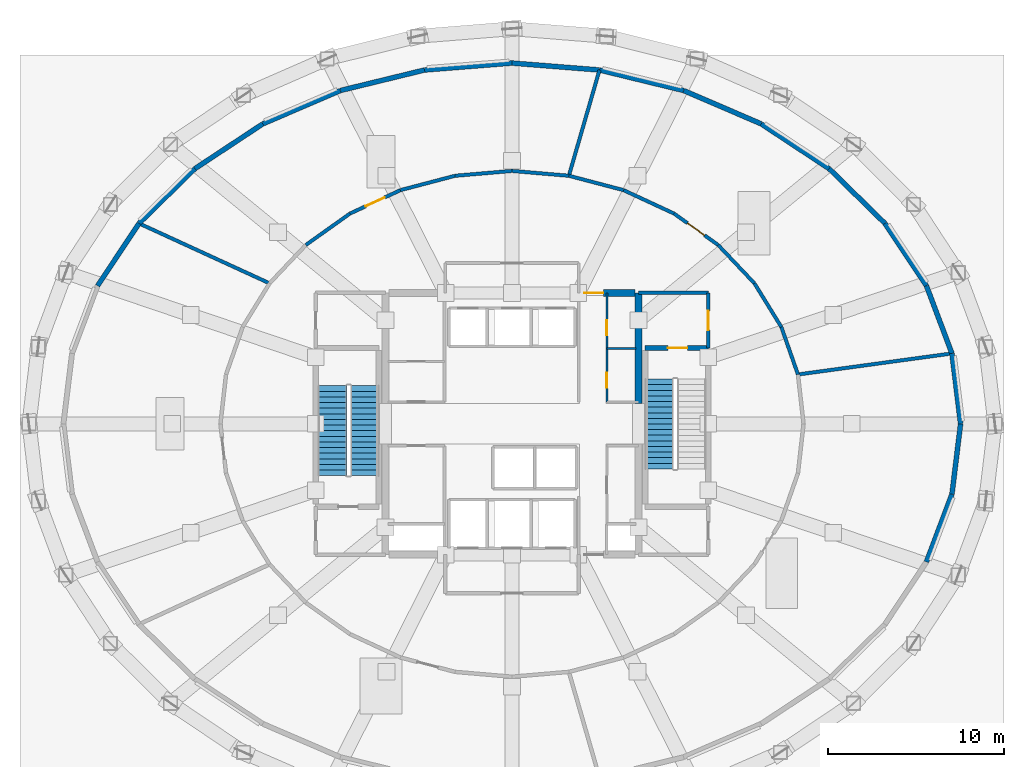
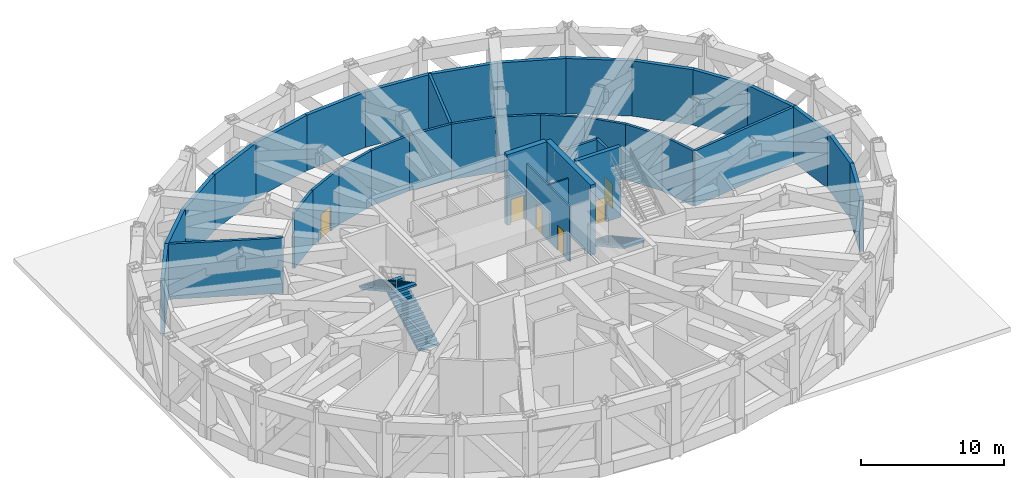
# One storey, part 7 of 12: 37 walls, 7 doors, 3 stair flights, 7 openings, 2 elements without a shape of their own.
"""IFC4 building model written with IfcOpenShell, lengths in metres."""

from ifc_helpers import new_model, si_unit, direction, frame, frame_2d, origin, place, context, subcontext, project, spatial, polyline, rectangle, outline, extrude, material, layer, layer_set, type_object, element, fill, aggregate, save


model = new_model("IFC4")

# Units and contexts
model_context = context("Model", 3, precision=1e-05, world=origin(), true_north=direction((0.0, 1.0)))
body_context = subcontext(model_context, "Body", "Model", "MODEL_VIEW")
ifc_project = project(units=[si_unit("LENGTHUNIT", "METRE"), si_unit("AREAUNIT", "SQUARE_METRE"), si_unit("VOLUMEUNIT", "CUBIC_METRE"), si_unit("PLANEANGLEUNIT", "RADIAN"), si_unit("MASSUNIT", "GRAM", prefix="KILO")], contexts=[model_context])

# Site, building, storey
site_placement = place(None, origin())
site = spatial("IfcSite", under=ifc_project, at=site_placement, CompositionType="ELEMENT")
building_placement = place(site_placement, origin())
building = spatial("IfcBuilding", under=site, at=building_placement, Name="Veldorina Hangang Commons", CompositionType="ELEMENT")
storey_placement = place(building_placement, frame((0.0, 0.0, 24.39990234375)))
storey = spatial("IfcBuildingStorey", under=building, at=storey_placement, Name="L05", CompositionType="ELEMENT", Elevation=24.39990234375)

# Wall
ifc_material_1 = material(Name="Concrete C70/85", Category="concrete")
ifc_layer_1 = layer(ifc_material_1, 0.39990234375)
ifc_layer_set_1 = layer_set([ifc_layer_1], Name="Concrete C70/85")
wall_type_1 = type_object("IfcWallType", Name="CW-RC400-C70", PredefinedType="SHEAR", material=ifc_layer_set_1)
wall_1_placement = place(storey_placement, frame((39.199951171875, 25.14990234375, 0.0), z_axis=(0.0, 0.0, 1.0), x_axis=(0.0, 1.0, 0.0)))
element("IfcWall", 1, at=wall_1_placement, inside=storey, type_object=wall_type_1, Name="L05 E north core shear wall", PredefinedType="SHEAR", context=body_context, shape_type="SweptSolid", body=[
    extrude(rectangle(XDim=6.300048828125, YDim=0.39990234375, at=frame_2d((3.14990234375, 0.0))), origin(), (0.0, 0.0, 1.0), 6.0),
])

# Wall, opening, door
wall_2_placement = place(storey_placement, frame((35.800048828125, 31.449951171875, 0.0), z_axis=(0.0, 0.0, 1.0), x_axis=(1.0, 0.0, 0.0)))
wall_2 = element("IfcWall", 2, at=wall_2_placement, inside=storey, type_object=wall_type_1, Name="L05 north-east core shear wall", PredefinedType="SHEAR", context=body_context, shape_type="SweptSolid", body=[
    extrude(rectangle(XDim=3.199951171875, YDim=0.39990234375, at=frame_2d((1.60009765625, 0.0))), origin(), (0.0, 0.0, 1.0), 6.0),
])
opening_1_placement = place(wall_2_placement, frame((0.300048828125, 0.0, 0.0)))
opening_1 = element("IfcOpeningElement", 3, at=opening_1_placement, cuts=wall_2, Name="Opening D-08", PredefinedType="OPENING", context=body_context, shape_type="SweptSolid", body=[
    extrude(rectangle(XDim=1.10009765625, YDim=2.10009765625, at=frame_2d((0.550048828125, 1.050048828125))), frame((0.0, 0.2099609375, 0.0), z_axis=(0.0, -1.0, 0.0), x_axis=(1.0, 0.0, 0.0)), (0.0, 0.0, 1.0), 0.419921875),
])
ifc_material_2 = material(Name="Steel Fire-Rated Smoke Seal", Category="steel")
door_type_1 = type_object("IfcDoorType", Name="DR-FIRE-1100", OperationType="SINGLE_SWING_RIGHT", PredefinedType="DOOR", material=ifc_material_2)
door_1_placement = place(opening_1_placement, origin())
door_1 = element("IfcDoor", 4, at=door_1_placement, inside=storey, type_object=door_type_1, Name="L05 central lift lobby north corridor door", OperationType="SINGLE_SWING_LEFT", OverallHeight=2.10009765625, OverallWidth=1.10009765625, PredefinedType="DOOR", context=body_context, shape_type="SweptSolid", body=[
    extrude(rectangle(XDim=1.10009765625, YDim=2.10009765625, at=frame_2d((0.550048828125, 1.050048828125))), frame((0.0, 0.02490234375, 0.0), z_axis=(0.0, -1.0, 0.0), x_axis=(1.0, 0.0, 0.0)), (0.0, 0.0, 1.0), 0.050048828125),
])
fill(opening_1, door_1)

# Walls
ifc_material_3 = material(Name="Stone Roman Travertine", Category="masonry")
ifc_layer_2 = layer(ifc_material_3, 0.280029296875)
ifc_layer_set_2 = layer_set([ifc_layer_2], Name="Stone Roman Travertine")
wall_type_2 = type_object("IfcWallType", Name="EW-TRAV-280", PredefinedType="STANDARD", material=ifc_layer_set_2)
wall_3_placement = place(storey_placement, frame((57.5400390625, 24.0, 0.0), z_axis=(0.0, 0.0, 1.0), x_axis=(-0.121555781987, 0.992584601868, 0.0)))
element("IfcWall", 5, at=wall_3_placement, inside=storey, type_object=wall_type_2, Name="L05 transfer plant exterior stone wall 00", PredefinedType="STANDARD", context=body_context, shape_type="SweptSolid", body=[
    extrude(rectangle(XDim=4.037109375, YDim=0.280029296875, at=frame_2d((2.0185546875, 0.0))), origin(), (0.0, 0.0, 1.0), 4.710205078125),
])
wall_4_placement = place(storey_placement, frame((57.04931640625, 28.007080078125, 0.0), z_axis=(0.0, 0.0, 1.0), x_axis=(-0.352909401731, 0.935657498324, 0.0)))
element("IfcWall", 6, at=wall_4_placement, inside=storey, type_object=wall_type_2, Name="L05 transfer plant exterior stone wall 01", PredefinedType="STANDARD", context=body_context, shape_type="SweptSolid", body=[
    extrude(rectangle(XDim=4.1181640625, YDim=0.280029296875, at=frame_2d((2.05908203125, 0.0))), origin(), (0.0, 0.0, 1.0), 4.710205078125),
])
wall_5_placement = place(storey_placement, frame((55.595947265625, 31.8603515625, 0.0), z_axis=(0.0, 0.0, 1.0), x_axis=(-0.55356334222, 0.832807076189, 0.0)))
element("IfcWall", 7, at=wall_5_placement, inside=storey, type_object=wall_type_2, Name="L05 transfer plant exterior stone wall 02", PredefinedType="STANDARD", context=body_context, shape_type="SweptSolid", body=[
    extrude(rectangle(XDim=4.263916015625, YDim=0.280029296875, at=frame_2d((2.1318359375, 0.0))), origin(), (0.0, 0.0, 1.0), 4.710205078125),
])
wall_6_placement = place(storey_placement, frame((53.235595703125, 35.411376953125, 0.0), z_axis=(0.0, 0.0, 1.0), x_axis=(-0.714207899037, 0.699933623248, 0.0)))
element("IfcWall", 8, at=wall_6_placement, inside=storey, type_object=wall_type_2, Name="L05 transfer plant exterior stone wall 03", PredefinedType="STANDARD", context=body_context, shape_type="SweptSolid", body=[
    extrude(rectangle(XDim=4.447021484375, YDim=0.280029296875, at=frame_2d((2.2236328125, 0.0))), origin(), (0.0, 0.0, 1.0), 4.710205078125),
])
wall_7_placement = place(storey_placement, frame((50.0595703125, 38.52392578125, 0.0), z_axis=(0.0, 0.0, 1.0), x_axis=(-0.834608922487, 0.550842941776, 0.0)))
element("IfcWall", 9, at=wall_7_placement, inside=storey, type_object=wall_type_2, Name="L05 transfer plant exterior stone wall 04", PredefinedType="STANDARD", context=body_context, shape_type="SweptSolid", body=[
    extrude(rectangle(XDim=4.637451171875, YDim=0.280029296875, at=frame_2d((2.31884765625, 0.0))), origin(), (0.0, 0.0, 1.0), 4.710205078125),
])
wall_8_placement = place(storey_placement, frame((46.189208984375, 41.078369140625, 0.0), z_axis=(0.0, 0.0, 1.0), x_axis=(-0.918705683067, 0.394942866629, 0.0)))
element("IfcWall", 10, at=wall_8_placement, inside=storey, type_object=wall_type_2, Name="L05 transfer plant exterior stone wall 05", PredefinedType="STANDARD", context=body_context, shape_type="SweptSolid", body=[
    extrude(rectangle(XDim=4.80615234375, YDim=0.280029296875, at=frame_2d((2.403076171875, 0.0))), origin(), (0.0, 0.0, 1.0), 4.710205078125),
])
wall_9_placement = place(storey_placement, frame((41.773681640625, 42.9765625, 0.0), z_axis=(0.0, 0.0, 1.0), x_axis=(-0.97151283312, 0.236986951292, 0.0)))
element("IfcWall", 11, at=wall_9_placement, inside=storey, type_object=wall_type_2, Name="L05 transfer plant exterior stone wall 06", PredefinedType="STANDARD", context=body_context, shape_type="SweptSolid", body=[
    extrude(rectangle(XDim=4.931396484375, YDim=0.280029296875, at=frame_2d((2.4658203125, 0.0))), origin(), (0.0, 0.0, 1.0), 4.710205078125),
])
for number, where, z_axis, x_axis, name in (
    (12, (36.982666015625, 44.145263671875, 0.0), (0.0, 0.0, 1.0), (-0.996876023292, 0.078982239682, 0.0), "L05 transfer plant exterior stone wall 07"),
    (13, (32.0, 44.5400390625, 0.0), (0.0, 0.0, 1.0), (-0.996876023292, -0.078982239682, 0.0), "L05 transfer plant exterior stone wall 08"),
):
    element("IfcWall", number, at=place(storey_placement, frame(where, z_axis=z_axis, x_axis=x_axis)), inside=storey, type_object=wall_type_2, Name=name, PredefinedType="STANDARD", context=body_context, shape_type="SweptSolid", body=[
        extrude(rectangle(XDim=4.998291015625, YDim=0.280029296875, at=frame_2d((2.4990234375, 0.0))), origin(), (0.0, 0.0, 1.0), 4.710205078125),
    ])
wall_10_placement = place(storey_placement, frame((27.017333984375, 44.145263671875, 0.0), z_axis=(0.0, 0.0, 1.0), x_axis=(-0.97151283312, -0.236986951292, 0.0)))
element("IfcWall", 14, at=wall_10_placement, inside=storey, type_object=wall_type_2, Name="L05 transfer plant exterior stone wall 09", PredefinedType="STANDARD", context=body_context, shape_type="SweptSolid", body=[
    extrude(rectangle(XDim=4.931396484375, YDim=0.280029296875, at=frame_2d((2.4658203125, 0.0))), origin(), (0.0, 0.0, 1.0), 4.710205078125),
])
wall_11_placement = place(storey_placement, frame((22.226318359375, 42.9765625, 0.0), z_axis=(0.0, 0.0, 1.0), x_axis=(-0.918705683067, -0.394942866629, 0.0)))
element("IfcWall", 15, at=wall_11_placement, inside=storey, type_object=wall_type_2, Name="L05 transfer plant exterior stone wall 10", PredefinedType="STANDARD", context=body_context, shape_type="SweptSolid", body=[
    extrude(rectangle(XDim=4.80615234375, YDim=0.280029296875, at=frame_2d((2.403076171875, 0.0))), origin(), (0.0, 0.0, 1.0), 4.710205078125),
])
wall_12_placement = place(storey_placement, frame((17.810791015625, 41.078369140625, 0.0), z_axis=(0.0, 0.0, 1.0), x_axis=(-0.834608922487, -0.550842941776, 0.0)))
element("IfcWall", 16, at=wall_12_placement, inside=storey, type_object=wall_type_2, Name="L05 transfer plant exterior stone wall 11", PredefinedType="STANDARD", context=body_context, shape_type="SweptSolid", body=[
    extrude(rectangle(XDim=4.637451171875, YDim=0.280029296875, at=frame_2d((2.31884765625, 0.0))), origin(), (0.0, 0.0, 1.0), 4.710205078125),
])
wall_13_placement = place(storey_placement, frame((13.9404296875, 38.52392578125, 0.0), z_axis=(0.0, 0.0, 1.0), x_axis=(-0.714207899037, -0.699933623248, 0.0)))
element("IfcWall", 17, at=wall_13_placement, inside=storey, type_object=wall_type_2, Name="L05 transfer plant exterior stone wall 12", PredefinedType="STANDARD", context=body_context, shape_type="SweptSolid", body=[
    extrude(rectangle(XDim=4.447021484375, YDim=0.280029296875, at=frame_2d((2.2236328125, 0.0))), origin(), (0.0, 0.0, 1.0), 4.710205078125),
])
wall_14_placement = place(storey_placement, frame((10.764404296875, 35.411376953125, 0.0), z_axis=(0.0, 0.0, 1.0), x_axis=(-0.55356334222, -0.832807076189, 0.0)))
element("IfcWall", 18, at=wall_14_placement, inside=storey, type_object=wall_type_2, Name="L05 transfer plant exterior stone wall 13", PredefinedType="STANDARD", context=body_context, shape_type="SweptSolid", body=[
    extrude(rectangle(XDim=4.263916015625, YDim=0.280029296875, at=frame_2d((2.1318359375, 0.0))), origin(), (0.0, 0.0, 1.0), 4.710205078125),
])
wall_15_placement = place(storey_placement, frame((55.595947265625, 16.1396484375, 0.0), z_axis=(0.0, 0.0, 1.0), x_axis=(0.352909401731, 0.935657498324, 0.0)))
element("IfcWall", 19, at=wall_15_placement, inside=storey, type_object=wall_type_2, Name="L05 transfer plant exterior stone wall 30", PredefinedType="STANDARD", context=body_context, shape_type="SweptSolid", body=[
    extrude(rectangle(XDim=4.1181640625, YDim=0.280029296875, at=frame_2d((2.05908203125, 0.0))), origin(), (0.0, 0.0, 1.0), 4.710205078125),
])
wall_16_placement = place(storey_placement, frame((57.04931640625, 19.992919921875, 0.0), z_axis=(0.0, 0.0, 1.0), x_axis=(0.121555781987, 0.992584601868, 0.0)))
element("IfcWall", 20, at=wall_16_placement, inside=storey, type_object=wall_type_2, Name="L05 transfer plant exterior stone wall 31", PredefinedType="STANDARD", context=body_context, shape_type="SweptSolid", body=[
    extrude(rectangle(XDim=4.037109375, YDim=0.280029296875, at=frame_2d((2.0185546875, 0.0))), origin(), (0.0, 0.0, 1.0), 4.710205078125),
])

# Wall, opening, door
ifc_material_4 = material(Name="Concrete C50/60", Category="concrete")
ifc_layer_3 = layer(ifc_material_4, 0.300048828125)
ifc_layer_set_3 = layer_set([ifc_layer_3], Name="Concrete C50/60")
wall_type_3 = type_object("IfcWallType", Name="SW-STAIR-300", PredefinedType="SHEAR", material=ifc_layer_set_3)
wall_17_placement = place(storey_placement, frame((39.580078125, 28.320068359375, 0.0), z_axis=(0.0, 0.0, 1.0), x_axis=(1.0, 0.0, 0.0)))
wall_17 = element("IfcWall", 21, at=wall_17_placement, inside=storey, type_object=wall_type_3, Name="L05 ST2 north stair shear wall", PredefinedType="SHEAR", context=body_context, shape_type="SweptSolid", body=[
    extrude(rectangle(XDim=3.599853515625, YDim=0.300048828125, at=frame_2d((1.7998046875, 0.0))), origin(), (0.0, 0.0, 1.0), 6.0),
])
opening_2_placement = place(wall_17_placement, frame((1.300048828125, 0.0, 0.0)))
opening_2 = element("IfcOpeningElement", 22, at=opening_2_placement, cuts=wall_17, Name="Opening D-08", PredefinedType="OPENING", context=body_context, shape_type="SweptSolid", body=[
    extrude(rectangle(XDim=1.10009765625, YDim=2.10009765625, at=frame_2d((0.550048828125, 1.050048828125))), frame((0.0, 0.16015625, 0.0), z_axis=(0.0, -1.0, 0.0), x_axis=(1.0, 0.0, 0.0)), (0.0, 0.0, 1.0), 0.320068359375),
])
door_2_placement = place(opening_2_placement, origin())
door_2 = element("IfcDoor", 23, at=door_2_placement, inside=storey, type_object=door_type_1, Name="L05 Special Escape Stair ST-2 door", OperationType="SINGLE_SWING_RIGHT", OverallHeight=2.10009765625, OverallWidth=1.10009765625, PredefinedType="DOOR", context=body_context, shape_type="SweptSolid", body=[
    extrude(rectangle(XDim=1.10009765625, YDim=2.10009765625, at=frame_2d((0.550048828125, 1.050048828125))), frame((0.0, 0.02490234375, 0.0), z_axis=(0.0, -1.0, 0.0), x_axis=(1.0, 0.0, 0.0)), (0.0, 0.0, 1.0), 0.050048828125),
])
fill(opening_2, door_2)

ifc_material_5 = material(Name="Concrete Blockwork Fire Wall C30/37", Category="masonry")
ifc_layer_4 = layer(ifc_material_5, 0.199951171875)
ifc_layer_set_4 = layer_set([ifc_layer_4], Name="Concrete Blockwork Fire Wall C30/37")
wall_type_4 = type_object("IfcWallType", Name="WL-FIRE-200", PredefinedType="SOLIDWALL", material=ifc_layer_set_4)
wall_18_placement = place(storey_placement, frame((43.179931640625, 28.320068359375, 0.0), z_axis=(0.0, 0.0, 1.0), x_axis=(0.0, 1.0, 0.0)))
wall_18 = element("IfcWall", 24, at=wall_18_placement, inside=storey, type_object=wall_type_4, Name="L05 East vestibule outer wall 003", PredefinedType="SOLIDWALL", context=body_context, shape_type="SweptSolid", body=[
    extrude(rectangle(XDim=3.1298828125, YDim=0.199951171875, at=frame_2d((1.56494140625, 0.0))), origin(), (0.0, 0.0, 1.0), 4.710205078125),
])
opening_3_placement = place(wall_18_placement, frame((1.014892578125, 0.0, 0.0)))
opening_3 = element("IfcOpeningElement", 25, at=opening_3_placement, cuts=wall_18, Name="Opening D-08", PredefinedType="OPENING", context=body_context, shape_type="SweptSolid", body=[
    extrude(rectangle(XDim=1.10009765625, YDim=2.10009765625, at=frame_2d((0.550048828125, 1.050048828125))), frame((0.0, 0.10986328125, 0.0), z_axis=(0.0, -1.0, 0.0), x_axis=(1.0, 0.0, 0.0)), (0.0, 0.0, 1.0), 0.219970703125),
])
door_3_placement = place(opening_3_placement, origin())
door_3 = element("IfcDoor", 26, at=door_3_placement, inside=storey, type_object=door_type_1, Name="L05 East vestibule east door 002", OperationType="SINGLE_SWING_RIGHT", OverallHeight=2.10009765625, OverallWidth=1.10009765625, PredefinedType="DOOR", context=body_context, shape_type="SweptSolid", body=[
    extrude(rectangle(XDim=1.10009765625, YDim=2.10009765625, at=frame_2d((0.550048828125, 1.050048828125))), frame((0.0, 0.02490234375, 0.0), z_axis=(0.0, -1.0, 0.0), x_axis=(1.0, 0.0, 0.0)), (0.0, 0.0, 1.0), 0.050048828125),
])
fill(opening_3, door_3)

# Walls
wall_19_placement = place(storey_placement, frame((39.199951171875, 31.449951171875, 0.0), z_axis=(0.0, 0.0, 1.0), x_axis=(1.0, 0.0, 0.0)))
element("IfcWall", 27, at=wall_19_placement, inside=storey, type_object=wall_type_4, Name="L05 East vestibule north wall 004", PredefinedType="SOLIDWALL", context=body_context, shape_type="SweptSolid", body=[
    extrude(rectangle(XDim=3.97998046875, YDim=0.199951171875, at=frame_2d((1.989990234375, 0.0))), origin(), (0.0, 0.0, 1.0), 4.710205078125),
])
wall_20_placement = place(storey_placement, frame((48.281005859375, 26.809326171875, 0.0), z_axis=(0.0, 0.0, 1.0), x_axis=(-0.330091990738, 0.943948768552, 0.0)))
element("IfcWall", 28, at=wall_20_placement, inside=storey, type_object=wall_type_4, Name="L05 L05 corridor wall 01 048", PredefinedType="SOLIDWALL", context=body_context, shape_type="SweptSolid", body=[
    extrude(rectangle(XDim=2.861572265625, YDim=0.199951171875, at=frame_2d((1.4306640625, 0.0))), origin(), (0.0, 0.0, 1.0), 4.710205078125),
])
wall_21_placement = place(storey_placement, frame((47.33642578125, 29.510498046875, 0.0), z_axis=(0.0, 0.0, 1.0), x_axis=(-0.524539864295, 0.851385888282, 0.0)))
element("IfcWall", 29, at=wall_21_placement, inside=storey, type_object=wall_type_4, Name="L05 L05 corridor wall 02 049", PredefinedType="SOLIDWALL", context=body_context, shape_type="SweptSolid", body=[
    extrude(rectangle(XDim=2.92431640625, YDim=0.199951171875, at=frame_2d((1.462158203125, 0.0))), origin(), (0.0, 0.0, 1.0), 4.710205078125),
])
wall_22_placement = place(storey_placement, frame((45.802490234375, 32.000244140625, 0.0), z_axis=(0.0, 0.0, 1.0), x_axis=(-0.687248541225, 0.726422358263, 0.0)))
element("IfcWall", 30, at=wall_22_placement, inside=storey, type_object=wall_type_4, Name="L05 L05 corridor wall 03 050", PredefinedType="SOLIDWALL", context=body_context, shape_type="SweptSolid", body=[
    extrude(rectangle(XDim=3.00390625, YDim=0.199951171875, at=frame_2d((1.501953125, 0.0))), origin(), (0.0, 0.0, 1.0), 4.710205078125),
])

# Wall, opening, door
wall_23_placement = place(storey_placement, frame((43.738037109375, 34.182373046875, 0.0), z_axis=(0.0, 0.0, 1.0), x_axis=(-0.814667287654, 0.579928625286, 0.0)))
wall_23 = element("IfcWall", 31, at=wall_23_placement, inside=storey, type_object=wall_type_4, Name="L05 L05 corridor wall 04 051", PredefinedType="SOLIDWALL", context=body_context, shape_type="SweptSolid", body=[
    extrude(rectangle(XDim=3.087890625, YDim=0.199951171875, at=frame_2d((1.5439453125, 0.0))), origin(), (0.0, 0.0, 1.0), 4.710205078125),
])
opening_4_placement = place(wall_23_placement, frame((0.94384765625, 0.0, 0.0)))
opening_4 = element("IfcOpeningElement", 32, at=opening_4_placement, cuts=wall_23, Name="Opening D-10", PredefinedType="OPENING", context=body_context, shape_type="SweptSolid", body=[
    extrude(rectangle(XDim=1.199951171875, YDim=2.10009765625, at=frame_2d((0.60009765625, 1.050048828125))), frame((0.0, 0.10986328125, 0.0), z_axis=(0.0, -1.0, 0.0), x_axis=(1.0, 0.0, 0.0)), (0.0, 0.0, 1.0), 0.219970703125),
])
ifc_material_6 = material(Name="Steel Heavy-Duty Acoustic Plant", Category="steel")
door_type_2 = type_object("IfcDoorType", Name="DR-PLANT-1200", OperationType="SINGLE_SWING_RIGHT", PredefinedType="DOOR", material=ifc_material_6)
door_4_placement = place(opening_4_placement, origin())
door_4 = element("IfcDoor", 33, at=door_4_placement, inside=storey, type_object=door_type_2, Name="L05 Central Chiller Plant Room door 019", OperationType="SINGLE_SWING_LEFT", OverallHeight=2.10009765625, OverallWidth=1.199951171875, PredefinedType="DOOR", context=body_context, shape_type="SweptSolid", body=[
    extrude(rectangle(XDim=1.199951171875, YDim=2.10009765625, at=frame_2d((0.60009765625, 1.050048828125))), frame((0.0, 0.02490234375, 0.0), z_axis=(0.0, -1.0, 0.0), x_axis=(1.0, 0.0, 0.0)), (0.0, 0.0, 1.0), 0.050048828125),
])
fill(opening_4, door_4)

# Walls
wall_24_placement = place(storey_placement, frame((41.222412109375, 35.97314453125, 0.0), z_axis=(0.0, 0.0, 1.0), x_axis=(-0.907205736671, 0.420687236971, 0.0)))
element("IfcWall", 34, at=wall_24_placement, inside=storey, type_object=wall_type_4, Name="L05 L05 corridor wall 05 052", PredefinedType="SOLIDWALL", context=body_context, shape_type="SweptSolid", body=[
    extrude(rectangle(XDim=3.163330078125, YDim=0.199951171875, at=frame_2d((1.58154296875, 0.0))), origin(), (0.0, 0.0, 1.0), 4.710205078125),
])
wall_25_placement = place(storey_placement, frame((38.3525390625, 37.303955078125, 0.0), z_axis=(0.0, 0.0, 1.0), x_axis=(-0.967085339773, 0.2544522462, 0.0)))
element("IfcWall", 35, at=wall_25_placement, inside=storey, type_object=wall_type_4, Name="L05 L05 corridor wall 06 053", PredefinedType="SOLIDWALL", context=body_context, shape_type="SweptSolid", body=[
    extrude(rectangle(XDim=3.219970703125, YDim=0.199951171875, at=frame_2d((1.60986328125, 0.0))), origin(), (0.0, 0.0, 1.0), 4.710205078125),
])
for number, where, z_axis, x_axis, name in (
    (36, (35.238525390625, 38.123291015625, 0.0), (0.0, 0.0, 1.0), (-0.996372169556, 0.085102877354, 0.0), "L05 L05 corridor wall 07 054"),
    (37, (32.0, 38.39990234375, 0.0), (0.0, 0.0, 1.0), (-0.996372169556, -0.085102877354, 0.0), "L05 L05 corridor wall 08 055"),
):
    element("IfcWall", number, at=place(storey_placement, frame(where, z_axis=z_axis, x_axis=x_axis)), inside=storey, type_object=wall_type_4, Name=name, PredefinedType="SOLIDWALL", context=body_context, shape_type="SweptSolid", body=[
        extrude(rectangle(XDim=3.250244140625, YDim=0.199951171875, at=frame_2d((1.625, 0.0))), origin(), (0.0, 0.0, 1.0), 4.710205078125),
    ])
wall_26_placement = place(storey_placement, frame((28.761474609375, 38.123291015625, 0.0), z_axis=(0.0, 0.0, 1.0), x_axis=(-0.967085339773, -0.2544522462, 0.0)))
element("IfcWall", 38, at=wall_26_placement, inside=storey, type_object=wall_type_4, Name="L05 L05 corridor wall 09 056", PredefinedType="SOLIDWALL", context=body_context, shape_type="SweptSolid", body=[
    extrude(rectangle(XDim=3.219970703125, YDim=0.199951171875, at=frame_2d((1.60986328125, 0.0))), origin(), (0.0, 0.0, 1.0), 4.710205078125),
])

# Wall, opening, door
wall_27_placement = place(storey_placement, frame((25.6474609375, 37.303955078125, 0.0), z_axis=(0.0, 0.0, 1.0), x_axis=(-0.907205736671, -0.420687236971, 0.0)))
wall_27 = element("IfcWall", 39, at=wall_27_placement, inside=storey, type_object=wall_type_4, Name="L05 L05 corridor wall 10 057", PredefinedType="SOLIDWALL", context=body_context, shape_type="SweptSolid", body=[
    extrude(rectangle(XDim=3.163330078125, YDim=0.199951171875, at=frame_2d((1.58154296875, 0.0))), origin(), (0.0, 0.0, 1.0), 4.710205078125),
])
opening_5_placement = place(wall_27_placement, frame((0.981689453125, 0.0, 0.0)))
opening_5 = element("IfcOpeningElement", 40, at=opening_5_placement, cuts=wall_27, Name="Opening D-10", PredefinedType="OPENING", context=body_context, shape_type="SweptSolid", body=[
    extrude(rectangle(XDim=1.199951171875, YDim=2.10009765625, at=frame_2d((0.60009765625, 1.050048828125))), frame((0.0, 0.10986328125, 0.0), z_axis=(0.0, -1.0, 0.0), x_axis=(1.0, 0.0, 0.0)), (0.0, 0.0, 1.0), 0.219970703125),
])
door_5_placement = place(opening_5_placement, origin())
door_5 = element("IfcDoor", 41, at=door_5_placement, inside=storey, type_object=door_type_2, Name="L05 Podium Air Handling Plant Room door 020", OperationType="SINGLE_SWING_RIGHT", OverallHeight=2.10009765625, OverallWidth=1.199951171875, PredefinedType="DOOR", context=body_context, shape_type="SweptSolid", body=[
    extrude(rectangle(XDim=1.199951171875, YDim=2.10009765625, at=frame_2d((0.60009765625, 1.050048828125))), frame((0.0, 0.02490234375, 0.0), z_axis=(0.0, -1.0, 0.0), x_axis=(1.0, 0.0, 0.0)), (0.0, 0.0, 1.0), 0.050048828125),
])
fill(opening_5, door_5)

# Walls
wall_28_placement = place(storey_placement, frame((22.777587890625, 35.97314453125, 0.0), z_axis=(0.0, 0.0, 1.0), x_axis=(-0.814667287654, -0.579928625286, 0.0)))
element("IfcWall", 42, at=wall_28_placement, inside=storey, type_object=wall_type_4, Name="L05 L05 corridor wall 11 058", PredefinedType="SOLIDWALL", context=body_context, shape_type="SweptSolid", body=[
    extrude(rectangle(XDim=3.087890625, YDim=0.199951171875, at=frame_2d((1.5439453125, 0.0))), origin(), (0.0, 0.0, 1.0), 4.710205078125),
])
wall_29_placement = place(storey_placement, frame((48.281005859375, 26.809326171875, 0.0), z_axis=(0.0, 0.0, 1.0), x_axis=(0.990798748828, 0.13534341255, 0.0)))
element("IfcWall", 43, at=wall_29_placement, inside=storey, type_object=wall_type_4, Name="L05 Central Chiller Plant Room divider 079", PredefinedType="SOLIDWALL", context=body_context, shape_type="SweptSolid", body=[
    extrude(rectangle(XDim=8.849853515625, YDim=0.199951171875, at=frame_2d((4.4248046875, 0.0))), origin(), (0.0, 0.0, 1.0), 4.710205078125),
])
wall_30_placement = place(storey_placement, frame((35.238525390625, 38.123291015625, 0.0), z_axis=(0.0, 0.0, 1.0), x_axis=(0.278196122184, 0.960524293083, 0.0)))
element("IfcWall", 44, at=wall_30_placement, inside=storey, type_object=wall_type_4, Name="L05 Podium Air Handling Plant Room divider 080", PredefinedType="SOLIDWALL", context=body_context, shape_type="SweptSolid", body=[
    extrude(rectangle(XDim=6.26953125, YDim=0.199951171875, at=frame_2d((3.134765625, 0.0))), origin(), (0.0, 0.0, 1.0), 4.710205078125),
])
wall_31_placement = place(storey_placement, frame((18.197509765625, 32.000244140625, 0.0), z_axis=(0.0, 0.0, 1.0), x_axis=(-0.90886590771, 0.417088434031, 0.0)))
element("IfcWall", 45, at=wall_31_placement, inside=storey, type_object=wall_type_4, Name="L05 Telecom Distribution Plant Room divider 081", PredefinedType="SOLIDWALL", context=body_context, shape_type="SweptSolid", body=[
    extrude(rectangle(XDim=8.178466796875, YDim=0.199951171875, at=frame_2d((4.08935546875, 0.0))), origin(), (0.0, 0.0, 1.0), 4.710205078125),
])

# Wall, openings, doors
ifc_material_7 = material(Name="Gypsum Acoustic Stud Partition", Category="gypsum")
ifc_layer_5 = layer(ifc_material_7, 0.1201171875)
ifc_layer_set_5 = layer_set([ifc_layer_5], Name="Gypsum Acoustic Stud Partition")
wall_type_5 = type_object("IfcWallType", Name="WL-PART-120", PredefinedType="PARTITIONING", material=ifc_layer_set_5)
wall_32_placement = place(storey_placement, frame((37.39990234375, 25.25, 0.0), z_axis=(0.0, 0.0, 1.0), x_axis=(0.0, 1.0, 0.0)))
wall_32 = element("IfcWall", 46, at=wall_32_placement, inside=storey, type_object=wall_type_5, Name="L05 NE strip lobby wall 041", PredefinedType="PARTITIONING", context=body_context, shape_type="SweptSolid", body=[
    extrude(rectangle(XDim=6.199951171875, YDim=0.1201171875, at=frame_2d((3.10009765625, 0.0))), origin(), (0.0, 0.0, 1.0), 4.710205078125),
])
opening_6_placement = place(wall_32_placement, frame((0.800048828125, 0.0, 0.0)))
opening_6 = element("IfcOpeningElement", 47, at=opening_6_placement, cuts=wall_32, Name="Opening D-01", PredefinedType="OPENING", context=body_context, shape_type="SweptSolid", body=[
    extrude(rectangle(XDim=0.860107421875, YDim=2.10009765625, at=frame_2d((0.43017578125, 1.050048828125))), frame((0.0, 0.070068359375, 0.0), z_axis=(0.0, -1.0, 0.0), x_axis=(1.0, 0.0, 0.0)), (0.0, 0.0, 1.0), 0.14013671875),
])
opening_7_placement = place(wall_32_placement, frame((3.800048828125, 0.0, 0.0)))
opening_7 = element("IfcOpeningElement", 48, at=opening_7_placement, cuts=wall_32, Name="Opening D-01", PredefinedType="OPENING", context=body_context, shape_type="SweptSolid", body=[
    extrude(rectangle(XDim=0.860107421875, YDim=2.10009765625, at=frame_2d((0.43017578125, 1.050048828125))), frame((0.0, 0.070068359375, 0.0), z_axis=(0.0, -1.0, 0.0), x_axis=(1.0, 0.0, 0.0)), (0.0, 0.0, 1.0), 0.14013671875),
])
ifc_material_8 = material(Name="Timber Moisture-Resistant Core", Category="wood")
door_type_3 = type_object("IfcDoorType", Name="DR-WET-860", OperationType="SINGLE_SWING_LEFT", PredefinedType="DOOR", material=ifc_material_8)
door_6_placement = place(opening_6_placement, origin())
door_6 = element("IfcDoor", 49, at=door_6_placement, inside=storey, type_object=door_type_3, Name="L05 Electrical closet door 016", OperationType="SINGLE_SWING_RIGHT", OverallHeight=2.10009765625, OverallWidth=0.860107421875, PredefinedType="DOOR", context=body_context, shape_type="SweptSolid", body=[
    extrude(rectangle(XDim=0.860107421875, YDim=2.10009765625, at=frame_2d((0.43017578125, 1.050048828125))), frame((0.0, 0.02490234375, 0.0), z_axis=(0.0, -1.0, 0.0), x_axis=(1.0, 0.0, 0.0)), (0.0, 0.0, 1.0), 0.050048828125),
])
fill(opening_6, door_6)
door_7_placement = place(opening_7_placement, origin())
door_7 = element("IfcDoor", 50, at=door_7_placement, inside=storey, type_object=door_type_3, Name="L05 IT closet door 017", OperationType="SINGLE_SWING_LEFT", OverallHeight=2.10009765625, OverallWidth=0.860107421875, PredefinedType="DOOR", context=body_context, shape_type="SweptSolid", body=[
    extrude(rectangle(XDim=0.860107421875, YDim=2.10009765625, at=frame_2d((0.43017578125, 1.050048828125))), frame((0.0, 0.02490234375, 0.0), z_axis=(0.0, -1.0, 0.0), x_axis=(1.0, 0.0, 0.0)), (0.0, 0.0, 1.0), 0.050048828125),
])
fill(opening_7, door_7)

# Wall
wall_33_placement = place(storey_placement, frame((37.39990234375, 28.300048828125, 0.0), z_axis=(0.0, 0.0, 1.0), x_axis=(1.0, 0.0, 0.0)))
element("IfcWall", 51, at=wall_33_placement, inside=storey, type_object=wall_type_5, Name="L05 NE mid wall 046", PredefinedType="PARTITIONING", context=body_context, shape_type="SweptSolid", body=[
    extrude(rectangle(XDim=1.650146484375, YDim=0.1201171875, at=frame_2d((0.8251953125, 0.0))), origin(), (0.0, 0.0, 1.0), 4.710205078125),
])

# Stair, stair flights
ifc_material_9 = material(Name="Concrete C40/50", Category="concrete")
stair_type = type_object("IfcStairType", Name="STR-DOG-1650-34R", PredefinedType="HALF_TURN_STAIR", material=ifc_material_9)
stair_1_placement = place(storey_placement, origin())
stair_1 = element("IfcStair", 52, at=stair_1_placement, inside=storey, type_object=stair_type, Name="L05 Exit stair ST-1", PredefinedType="HALF_TURN_STAIR")
stair_flight_type = type_object("IfcStairFlightType", Name="SFL-STR-1650-34R", PredefinedType="STRAIGHT", material=ifc_material_9)
stair_flight_1_placement = place(storey_placement, frame((23.625, 21.050048828125, 0.0), z_axis=(0.0, 0.0, 1.0), x_axis=(0.0, 1.0, 0.0)))
stair_flight_1 = element("IfcStairFlight", 53, at=stair_flight_1_placement, type_object=stair_flight_type, Name="ST-1 flight 1", NumberOfRisers=17, NumberOfTreads=16, PredefinedType="STRAIGHT", RiserHeight=0.176470588, TreadLength=0.32, context=body_context, shape_type="SweptSolid", body=[
    extrude(outline(polyline([(0.0, 0.0), (0.0, 0.176513671875), (0.320068359375, 0.176513671875), (0.320068359375, 0.35302734375), (0.639892578125, 0.35302734375), (0.639892578125, 0.529296875), (0.9599609375, 0.529296875), (0.9599609375, 0.705810546875), (1.280029296875, 0.705810546875), (1.280029296875, 0.88232421875), (1.60009765625, 0.88232421875), (1.60009765625, 1.058837890625), (1.919921875, 1.058837890625), (1.919921875, 1.2353515625), (2.239990234375, 1.2353515625), (2.239990234375, 1.411865234375), (2.56005859375, 1.411865234375), (2.56005859375, 1.588134765625), (2.8798828125, 1.588134765625), (2.8798828125, 1.7646484375), (3.199951171875, 1.7646484375), (3.199951171875, 1.941162109375), (3.52001953125, 1.941162109375), (3.52001953125, 2.11767578125), (3.840087890625, 2.11767578125), (3.840087890625, 2.294189453125), (4.159912109375, 2.294189453125), (4.159912109375, 2.470703125), (4.47998046875, 2.470703125), (4.47998046875, 2.64697265625), (4.800048828125, 2.64697265625), (4.800048828125, 2.823486328125), (5.1201171875, 2.823486328125), (5.1201171875, 3.0), (5.1201171875, 2.65234375), (0.310302734375, 0.0), (0.0, 0.0)])), frame((0.0, 0.824951171875, 0.0), z_axis=(0.0, -1.0, 0.0), x_axis=(1.0, 0.0, 0.0)), (0.0, 0.0, 1.0), 1.64990234375),
])
stair_flight_2_placement = place(storey_placement, frame((21.77490234375, 26.169921875, 3.0), z_axis=(0.0, 0.0, 1.0), x_axis=(0.0, -1.0, 0.0)))
stair_flight_2 = element("IfcStairFlight", 54, at=stair_flight_2_placement, type_object=stair_flight_type, Name="ST-1 flight 2", NumberOfRisers=17, NumberOfTreads=16, PredefinedType="STRAIGHT", RiserHeight=0.176470588, TreadLength=0.32, context=body_context, shape_type="SweptSolid", body=[
    extrude(outline(polyline([(0.0, 0.0), (0.0, 0.176513671875), (0.320068359375, 0.176513671875), (0.320068359375, 0.35302734375), (0.639892578125, 0.35302734375), (0.639892578125, 0.529296875), (0.9599609375, 0.529296875), (0.9599609375, 0.705810546875), (1.280029296875, 0.705810546875), (1.280029296875, 0.88232421875), (1.60009765625, 0.88232421875), (1.60009765625, 1.058837890625), (1.919921875, 1.058837890625), (1.919921875, 1.2353515625), (2.239990234375, 1.2353515625), (2.239990234375, 1.411865234375), (2.56005859375, 1.411865234375), (2.56005859375, 1.588134765625), (2.8798828125, 1.588134765625), (2.8798828125, 1.7646484375), (3.199951171875, 1.7646484375), (3.199951171875, 1.941162109375), (3.52001953125, 1.941162109375), (3.52001953125, 2.11767578125), (3.840087890625, 2.11767578125), (3.840087890625, 2.294189453125), (4.159912109375, 2.294189453125), (4.159912109375, 2.470703125), (4.47998046875, 2.470703125), (4.47998046875, 2.64697265625), (4.800048828125, 2.64697265625), (4.800048828125, 2.823486328125), (5.1201171875, 2.823486328125), (5.1201171875, 3.0), (5.1201171875, 2.65234375), (0.310302734375, 0.0), (0.0, 0.0)])), frame((0.0, 0.824951171875, 0.0), z_axis=(0.0, -1.0, 0.0), x_axis=(1.0, 0.0, 0.0)), (0.0, 0.0, 1.0), 1.64990234375),
])
aggregate(stair_1, [stair_flight_1, stair_flight_2])

# Stair, stair flight
stair_2_placement = place(storey_placement, origin())
stair_2 = element("IfcStair", 55, at=stair_2_placement, inside=storey, type_object=stair_type, Name="L05 Exit stair ST-2", PredefinedType="HALF_TURN_STAIR")
stair_flight_3_placement = place(storey_placement, frame((40.375, 26.550048828125, 0.0), z_axis=(0.0, 0.0, 1.0), x_axis=(0.0, -1.0, 0.0)))
stair_flight_3 = element("IfcStairFlight", 56, at=stair_flight_3_placement, type_object=stair_flight_type, Name="ST-2 flight 1", NumberOfRisers=17, NumberOfTreads=16, PredefinedType="STRAIGHT", RiserHeight=0.176470588, TreadLength=0.32, context=body_context, shape_type="SweptSolid", body=[
    extrude(outline(polyline([(0.0, 0.0), (0.0, 0.176513671875), (0.320068359375, 0.176513671875), (0.320068359375, 0.35302734375), (0.639892578125, 0.35302734375), (0.639892578125, 0.529296875), (0.9599609375, 0.529296875), (0.9599609375, 0.705810546875), (1.280029296875, 0.705810546875), (1.280029296875, 0.88232421875), (1.60009765625, 0.88232421875), (1.60009765625, 1.058837890625), (1.919921875, 1.058837890625), (1.919921875, 1.2353515625), (2.239990234375, 1.2353515625), (2.239990234375, 1.411865234375), (2.56005859375, 1.411865234375), (2.56005859375, 1.588134765625), (2.8798828125, 1.588134765625), (2.8798828125, 1.7646484375), (3.199951171875, 1.7646484375), (3.199951171875, 1.941162109375), (3.52001953125, 1.941162109375), (3.52001953125, 2.11767578125), (3.840087890625, 2.11767578125), (3.840087890625, 2.294189453125), (4.159912109375, 2.294189453125), (4.159912109375, 2.470703125), (4.47998046875, 2.470703125), (4.47998046875, 2.64697265625), (4.800048828125, 2.64697265625), (4.800048828125, 2.823486328125), (5.1201171875, 2.823486328125), (5.1201171875, 3.0), (5.1201171875, 2.65234375), (0.310302734375, 0.0), (0.0, 0.0)])), frame((0.0, 0.824951171875, 0.0), z_axis=(0.0, -1.0, 0.0), x_axis=(1.0, 0.0, 0.0)), (0.0, 0.0, 1.0), 1.64990234375),
])
aggregate(stair_2, [stair_flight_3])

save(model, "model.ifc")
